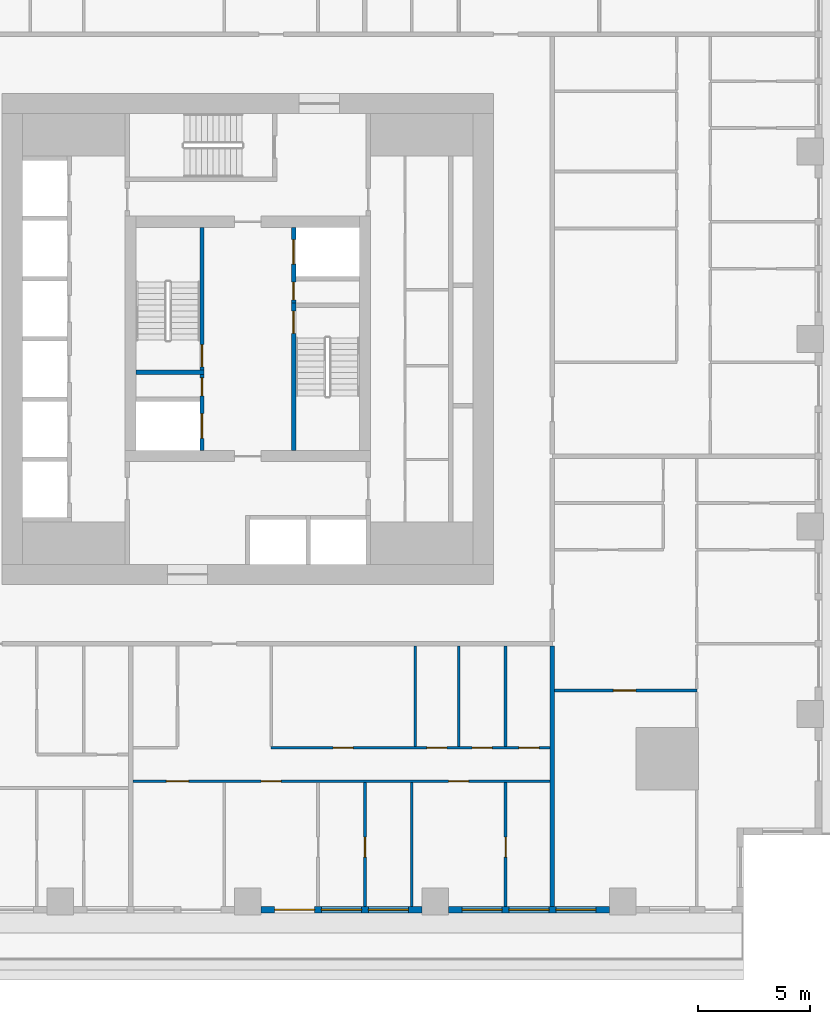
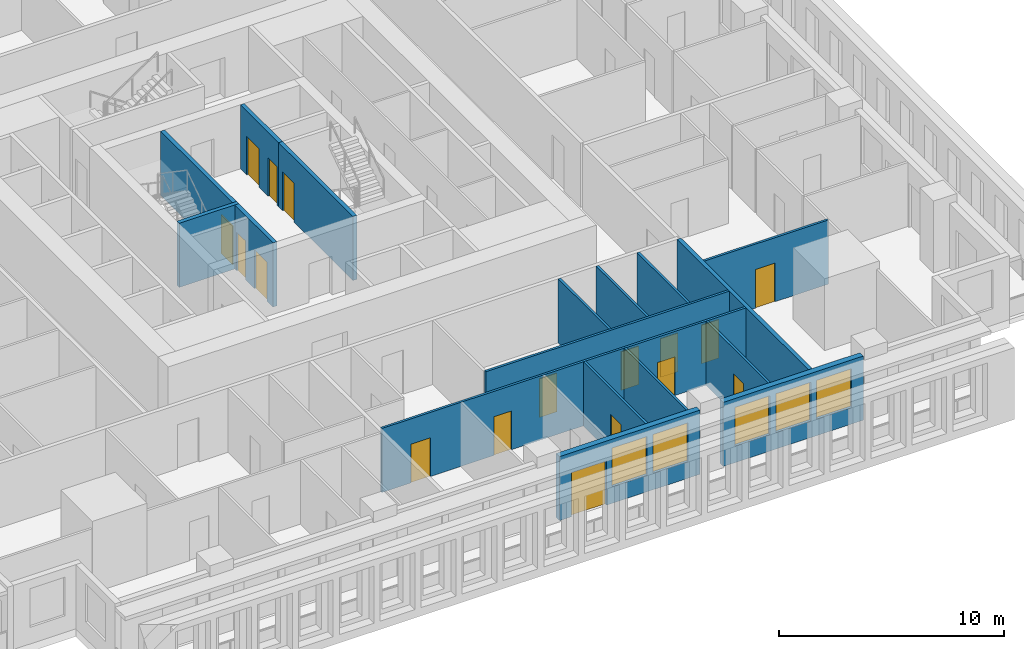
# One storey, part 4 of 15: 17 doors, 17 walls, 5 windows, 22 openings.
"""IFC4 building model written with IfcOpenShell, lengths in metres."""

from ifc_helpers import new_model, si_unit, direction, frame, frame_2d, origin, place, context, subcontext, project, spatial, rectangle, extrude, material, layer, layer_set, type_object, element, fill, save


model = new_model("IFC4")

# Units and contexts
model_context = context("Model", 3, precision=1e-05, world=origin(), true_north=direction((0.0, 1.0)))
body_context = subcontext(model_context, "Body", "Model", "MODEL_VIEW")
ifc_project = project(units=[si_unit("LENGTHUNIT", "METRE"), si_unit("AREAUNIT", "SQUARE_METRE"), si_unit("VOLUMEUNIT", "CUBIC_METRE"), si_unit("PLANEANGLEUNIT", "RADIAN"), si_unit("MASSUNIT", "GRAM", prefix="KILO")], contexts=[model_context])

# Site, building, storey
site_placement = place(None, origin())
site = spatial("IfcSite", under=ifc_project, at=site_placement, CompositionType="ELEMENT")
building_placement = place(site_placement, origin())
building = spatial("IfcBuilding", under=site, at=building_placement, Name="Khepri Terraces", CompositionType="ELEMENT")
storey_placement = place(building_placement, frame((0.0, 0.0, 98.699951171875)))
storey = spatial("IfcBuildingStorey", under=building, at=storey_placement, Name="L23", CompositionType="ELEMENT", Elevation=98.699951171875)

# Wall, opening, door
ifc_material_1 = material(Name="Concrete C70/85", Category="concrete")
ifc_layer_1 = layer(ifc_material_1, 0.199951171875, Name="Concrete C70/85", Category="concrete")
ifc_layer_set_1 = layer_set([ifc_layer_1], Name="Concrete C70/85")
wall_type_1 = type_object("IfcWallType", Name="Core wall 200 C70/85", PredefinedType="SHEAR", material=ifc_layer_set_1)
wall_1_placement = place(storey_placement, frame((2.050048828125, -5.0, 0.0), z_axis=(0.0, 0.0, 1.0), x_axis=(0.0, 1.0, 0.0)))
wall_1 = element("IfcWall", 1, at=wall_1_placement, inside=storey, type_object=wall_type_1, Name="Core wall ST01 L23", PredefinedType="SHEAR", context=body_context, shape_type="SweptSolid", body=[
    extrude(rectangle(XDim=6.60009765625, YDim=0.199951171875, at=frame_2d((3.300048828125, 0.0))), origin(), (0.0, 0.0, 1.0), 3.47998046875),
])
opening_1_placement = place(wall_1_placement, frame((5.25, 0.0, 0.0)))
opening_1 = element("IfcOpeningElement", 2, at=opening_1_placement, cuts=wall_1, Name="Opening L23-C10", PredefinedType="OPENING", context=body_context, shape_type="SweptSolid", body=[
    extrude(rectangle(XDim=1.0, YDim=2.10009765625, at=frame_2d((0.5, 1.050048828125))), frame((0.0, 0.10986328125, 0.0), z_axis=(0.0, -1.0, 0.0), x_axis=(1.0, 0.0, 0.0)), (0.0, 0.0, 1.0), 0.219970703125),
])
ifc_material_2 = material(Name="Painted steel", Category="steel")
door_type_1 = type_object("IfcDoorType", Name="DR-CORE-STAIR-1000", OperationType="NOTDEFINED", PredefinedType="DOOR", material=ifc_material_2)
door_1_placement = place(opening_1_placement, frame((1.0, 0.0, 0.0), z_axis=(0.0, 0.0, 1.0), x_axis=(-1.0, 0.0, 0.0)))
door_1 = element("IfcDoor", 3, at=door_1_placement, inside=storey, type_object=door_type_1, Name="Stair door L23-C10", OperationType="SINGLE_SWING_LEFT", OverallHeight=2.10009765625, OverallWidth=1.0, PredefinedType="DOOR", context=body_context, shape_type="SweptSolid", body=[
    extrude(rectangle(XDim=1.0, YDim=2.10009765625, at=frame_2d((0.5, 1.050048828125))), frame((0.0, 0.02490234375, 0.0), z_axis=(0.0, -1.0, 0.0), x_axis=(1.0, 0.0, 0.0)), (0.0, 0.0, 1.0), 0.050048828125),
])
fill(opening_1, door_1)

# Wall
wall_2_placement = place(storey_placement, frame((-5.0, -1.5, 0.0), z_axis=(0.0, 0.0, 1.0), x_axis=(1.0, 0.0, 0.0)))
element("IfcWall", 4, at=wall_2_placement, inside=storey, type_object=wall_type_1, Name="Core wall ST02 L23", PredefinedType="SHEAR", context=body_context, shape_type="SweptSolid", body=[
    extrude(rectangle(XDim=3.050048828125, YDim=0.199951171875, at=frame_2d((1.52490234375, 0.0))), origin(), (0.0, 0.0, 1.0), 3.47998046875),
])

# Wall, opening, door
wall_3_placement = place(storey_placement, frame((-2.050048828125, -1.39990234375, 0.0), z_axis=(0.0, 0.0, 1.0), x_axis=(0.0, 1.0, 0.0)))
wall_3 = element("IfcWall", 5, at=wall_3_placement, inside=storey, type_object=wall_type_1, Name="Core wall ST03 L23", PredefinedType="SHEAR", context=body_context, shape_type="SweptSolid", body=[
    extrude(rectangle(XDim=6.39990234375, YDim=0.199951171875, at=frame_2d((3.199951171875, 0.0))), origin(), (0.0, 0.0, 1.0), 3.47998046875),
])
opening_2_placement = place(wall_3_placement, frame((0.14990234375, 0.0, 0.0)))
opening_2 = element("IfcOpeningElement", 6, at=opening_2_placement, cuts=wall_3, Name="Opening L23-C09", PredefinedType="OPENING", context=body_context, shape_type="SweptSolid", body=[
    extrude(rectangle(XDim=1.0, YDim=2.10009765625, at=frame_2d((0.5, 1.050048828125))), frame((0.0, 0.10986328125, 0.0), z_axis=(0.0, -1.0, 0.0), x_axis=(1.0, 0.0, 0.0)), (0.0, 0.0, 1.0), 0.219970703125),
])
door_2_placement = place(opening_2_placement, origin())
door_2 = element("IfcDoor", 7, at=door_2_placement, inside=storey, type_object=door_type_1, Name="Stair door L23-C09", OperationType="SINGLE_SWING_LEFT", OverallHeight=2.10009765625, OverallWidth=1.0, PredefinedType="DOOR", context=body_context, shape_type="SweptSolid", body=[
    extrude(rectangle(XDim=1.0, YDim=2.10009765625, at=frame_2d((0.5, 1.050048828125))), frame((0.0, 0.02490234375, 0.0), z_axis=(0.0, -1.0, 0.0), x_axis=(1.0, 0.0, 0.0)), (0.0, 0.0, 1.0), 0.050048828125),
])
fill(opening_2, door_2)

# Wall, openings, doors
wall_4_placement = place(storey_placement, frame((-2.050048828125, -5.0, 0.0), z_axis=(0.0, 0.0, 1.0), x_axis=(0.0, 1.0, 0.0)))
wall_4 = element("IfcWall", 8, at=wall_4_placement, inside=storey, type_object=wall_type_1, Name="Core wall SH10 L23", PredefinedType="SHEAR", context=body_context, shape_type="SweptSolid", body=[
    extrude(rectangle(XDim=3.39990234375, YDim=0.199951171875, at=frame_2d((1.699951171875, 0.0))), origin(), (0.0, 0.0, 1.0), 3.47998046875),
])
opening_3_placement = place(wall_4_placement, frame((0.550048828125, 0.0, 0.0)))
opening_3 = element("IfcOpeningElement", 9, at=opening_3_placement, cuts=wall_4, Name="Opening L23-C08", PredefinedType="OPENING", context=body_context, shape_type="SweptSolid", body=[
    extrude(rectangle(XDim=1.10009765625, YDim=2.10009765625, at=frame_2d((0.550048828125, 1.050048828125))), frame((0.0, 0.10986328125, 0.0), z_axis=(0.0, -1.0, 0.0), x_axis=(1.0, 0.0, 0.0)), (0.0, 0.0, 1.0), 0.219970703125),
])
opening_4_placement = place(wall_4_placement, frame((2.449951171875, 0.0, 0.0)))
opening_4 = element("IfcOpeningElement", 10, at=opening_4_placement, cuts=wall_4, Name="Opening L23-C12", PredefinedType="OPENING", context=body_context, shape_type="SweptSolid", body=[
    extrude(rectangle(XDim=0.800048828125, YDim=2.10009765625, at=frame_2d((0.39990234375, 1.050048828125))), frame((0.0, 0.10986328125, 0.0), z_axis=(0.0, -1.0, 0.0), x_axis=(1.0, 0.0, 0.0)), (0.0, 0.0, 1.0), 0.219970703125),
])
ifc_material_3 = material(Name="Stainless steel 304", Category="steel")
door_type_2 = type_object("IfcDoorType", Name="DR-CORE-FF-LANDING-1100", OperationType="NOTDEFINED", PredefinedType="DOOR", material=ifc_material_3)
door_3_placement = place(opening_3_placement, origin())
door_3 = element("IfcDoor", 11, at=door_3_placement, inside=storey, type_object=door_type_2, Name="Firefighting lift landing door L23-C08", OperationType="SLIDING_TO_LEFT", OverallHeight=2.10009765625, OverallWidth=1.10009765625, PredefinedType="DOOR", context=body_context, shape_type="SweptSolid", body=[
    extrude(rectangle(XDim=1.10009765625, YDim=2.10009765625, at=frame_2d((0.550048828125, 1.050048828125))), frame((0.0, 0.02490234375, 0.0), z_axis=(0.0, -1.0, 0.0), x_axis=(1.0, 0.0, 0.0)), (0.0, 0.0, 1.0), 0.050048828125),
])
fill(opening_3, door_3)
door_type_3 = type_object("IfcDoorType", Name="DR-CORE-RISER-800", OperationType="NOTDEFINED", PredefinedType="DOOR", material=ifc_material_2)
door_4_placement = place(opening_4_placement, origin())
door_4 = element("IfcDoor", 12, at=door_4_placement, inside=storey, type_object=door_type_3, Name="Riser door L23-C12", OperationType="SINGLE_SWING_RIGHT", OverallHeight=2.10009765625, OverallWidth=0.800048828125, PredefinedType="DOOR", context=body_context, shape_type="SweptSolid", body=[
    extrude(rectangle(XDim=0.800048828125, YDim=2.10009765625, at=frame_2d((0.39990234375, 1.050048828125))), frame((0.0, 0.02490234375, 0.0), z_axis=(0.0, -1.0, 0.0), x_axis=(1.0, 0.0, 0.0)), (0.0, 0.0, 1.0), 0.050048828125),
])
fill(opening_4, door_4)

wall_5_placement = place(storey_placement, frame((2.050048828125, 1.60009765625, 0.0), z_axis=(0.0, 0.0, 1.0), x_axis=(0.0, 1.0, 0.0)))
wall_5 = element("IfcWall", 13, at=wall_5_placement, inside=storey, type_object=wall_type_1, Name="Core wall SH15 L23", PredefinedType="SHEAR", context=body_context, shape_type="SweptSolid", body=[
    extrude(rectangle(XDim=3.39990234375, YDim=0.199951171875, at=frame_2d((1.699951171875, 0.0))), origin(), (0.0, 0.0, 1.0), 3.47998046875),
])
opening_5_placement = place(wall_5_placement, frame((1.75, 0.0, 0.0)))
opening_5 = element("IfcOpeningElement", 14, at=opening_5_placement, cuts=wall_5, Name="Opening L23-C07", PredefinedType="OPENING", context=body_context, shape_type="SweptSolid", body=[
    extrude(rectangle(XDim=1.10009765625, YDim=2.10009765625, at=frame_2d((0.550048828125, 1.050048828125))), frame((0.0, 0.10986328125, 0.0), z_axis=(0.0, -1.0, 0.0), x_axis=(1.0, 0.0, 0.0)), (0.0, 0.0, 1.0), 0.219970703125),
])
opening_6_placement = place(wall_5_placement, frame((0.14990234375, 0.0, 0.0)))
opening_6 = element("IfcOpeningElement", 15, at=opening_6_placement, cuts=wall_5, Name="Opening L23-C11", PredefinedType="OPENING", context=body_context, shape_type="SweptSolid", body=[
    extrude(rectangle(XDim=0.800048828125, YDim=2.10009765625, at=frame_2d((0.39990234375, 1.050048828125))), frame((0.0, 0.10986328125, 0.0), z_axis=(0.0, -1.0, 0.0), x_axis=(1.0, 0.0, 0.0)), (0.0, 0.0, 1.0), 0.219970703125),
])
door_5_placement = place(opening_5_placement, origin())
door_5 = element("IfcDoor", 16, at=door_5_placement, inside=storey, type_object=door_type_2, Name="Firefighting lift landing door L23-C07", OperationType="SLIDING_TO_LEFT", OverallHeight=2.10009765625, OverallWidth=1.10009765625, PredefinedType="DOOR", context=body_context, shape_type="SweptSolid", body=[
    extrude(rectangle(XDim=1.10009765625, YDim=2.10009765625, at=frame_2d((0.550048828125, 1.050048828125))), frame((0.0, 0.02490234375, 0.0), z_axis=(0.0, -1.0, 0.0), x_axis=(1.0, 0.0, 0.0)), (0.0, 0.0, 1.0), 0.050048828125),
])
fill(opening_5, door_5)
door_6_placement = place(opening_6_placement, frame((0.800048828125, 0.0, 0.0), z_axis=(0.0, 0.0, 1.0), x_axis=(-1.0, 0.0, 0.0)))
door_6 = element("IfcDoor", 17, at=door_6_placement, inside=storey, type_object=door_type_3, Name="Riser door L23-C11", OperationType="SINGLE_SWING_RIGHT", OverallHeight=2.10009765625, OverallWidth=0.800048828125, PredefinedType="DOOR", context=body_context, shape_type="SweptSolid", body=[
    extrude(rectangle(XDim=0.800048828125, YDim=2.10009765625, at=frame_2d((0.39990234375, 1.050048828125))), frame((0.0, 0.02490234375, 0.0), z_axis=(0.0, -1.0, 0.0), x_axis=(1.0, 0.0, 0.0)), (0.0, 0.0, 1.0), 0.050048828125),
])
fill(opening_6, door_6)

# Wall
ifc_material_4 = material(Name="Fire-rated gypsum plasterboard partition, mineral wool")
ifc_layer_2 = layer(ifc_material_4, 0.199951171875, Name="Fire-rated gypsum plasterboard partition, mineral wool")
ifc_layer_set_2 = layer_set([ifc_layer_2], Name="Fire-rated gypsum plasterboard partition, mineral wool")
wall_type_2 = type_object("IfcWallType", Name="WL-CORR-200", PredefinedType="PARTITIONING", material=ifc_layer_set_2)
wall_6_placement = place(storey_placement, frame((13.64990234375, -25.419921875, 0.0), z_axis=(0.0, 0.0, 1.0), x_axis=(0.0, 1.0, 0.0)))
element("IfcWall", 18, at=wall_6_placement, inside=storey, type_object=wall_type_2, Name="Partition P-010 L23", PredefinedType="PARTITIONING", context=body_context, shape_type="SweptSolid", body=[
    extrude(rectangle(XDim=11.669921875, YDim=0.199951171875, at=frame_2d((5.8349609375, 0.0))), origin(), (0.0, 0.0, 1.0), 3.47998046875),
])

# Wall, openings, door, windows
ifc_material_5 = material(Name="Precast concrete C50/60 warm stone", Category="masonry")
ifc_layer_3 = layer(ifc_material_5, 0.300048828125, Name="Precast concrete C50/60 warm stone", Category="masonry")
ifc_layer_set_3 = layer_set([ifc_layer_3], Name="Precast concrete C50/60 warm stone")
wall_type_3 = type_object("IfcWallType", Name="WL-EXT-PRECAST-300", PredefinedType="STANDARD", material=ifc_layer_set_3)
wall_7_placement = place(storey_placement, frame((0.60009765625, -25.570068359375, 0.0), z_axis=(0.0, 0.0, 1.0), x_axis=(1.0, 0.0, 0.0)))
wall_7 = element("IfcWall", 19, at=wall_7_placement, inside=storey, type_object=wall_type_3, Name="External wall L23 S", PredefinedType="STANDARD", context=body_context, shape_type="SweptSolid", body=[
    extrude(rectangle(XDim=7.199951171875, YDim=0.300048828125, at=frame_2d((3.60009765625, 0.0))), origin(), (0.0, 0.0, 1.0), 3.47998046875),
])
opening_7_placement = place(wall_7_placement, frame((0.60009765625, 0.0, 0.0)))
opening_7 = element("IfcOpeningElement", 20, at=opening_7_placement, cuts=wall_7, Name="Opening ED-L23-21", PredefinedType="OPENING", context=body_context, shape_type="SweptSolid", body=[
    extrude(rectangle(XDim=1.800048828125, YDim=2.39990234375, at=frame_2d((0.89990234375, 1.199951171875))), frame((0.0, 0.16015625, 0.0), z_axis=(0.0, -1.0, 0.0), x_axis=(1.0, 0.0, 0.0)), (0.0, 0.0, 1.0), 0.320068359375),
])
opening_8_placement = place(wall_7_placement, frame((2.699951171875, 0.0, 0.89990234375)))
opening_8 = element("IfcOpeningElement", 21, at=opening_8_placement, cuts=wall_7, Name="Opening W1", PredefinedType="OPENING", context=body_context, shape_type="SweptSolid", body=[
    extrude(rectangle(XDim=1.800048828125, YDim=2.10009765625, at=frame_2d((0.89990234375, 1.050048828125))), frame((0.0, 0.16015625, 0.0), z_axis=(0.0, -1.0, 0.0), x_axis=(1.0, 0.0, 0.0)), (0.0, 0.0, 1.0), 0.320068359375),
])
opening_9_placement = place(wall_7_placement, frame((4.800048828125, 0.0, 0.89990234375)))
opening_9 = element("IfcOpeningElement", 22, at=opening_9_placement, cuts=wall_7, Name="Opening W1", PredefinedType="OPENING", context=body_context, shape_type="SweptSolid", body=[
    extrude(rectangle(XDim=1.800048828125, YDim=2.10009765625, at=frame_2d((0.89990234375, 1.050048828125))), frame((0.0, 0.16015625, 0.0), z_axis=(0.0, -1.0, 0.0), x_axis=(1.0, 0.0, 0.0)), (0.0, 0.0, 1.0), 0.320068359375),
])
ifc_material_6 = material(Name="Anodised aluminium bronze glazed door", Category="aluminium")
door_type_4 = type_object("IfcDoorType", Name="DR-BAL-SLIDE-1800x2400", OperationType="NOTDEFINED", PredefinedType="DOOR", material=ifc_material_6)
door_7_placement = place(opening_7_placement, origin())
door_7 = element("IfcDoor", 23, at=door_7_placement, inside=storey, type_object=door_type_4, Name="Balcony door L23 S", OperationType="SLIDING_TO_LEFT", OverallHeight=2.39990234375, OverallWidth=1.800048828125, PredefinedType="DOOR", context=body_context, shape_type="SweptSolid", body=[
    extrude(rectangle(XDim=1.800048828125, YDim=2.39990234375, at=frame_2d((0.89990234375, 1.199951171875))), frame((0.0, 0.02490234375, 0.0), z_axis=(0.0, -1.0, 0.0), x_axis=(1.0, 0.0, 0.0)), (0.0, 0.0, 1.0), 0.050048828125),
])
fill(opening_7, door_7)
ifc_material_7 = material(Name="Clear glass", Category="glass")
window_type = type_object("IfcWindowType", Name="WIN-RES-1800x2100", PartitioningType="SINGLE_PANEL", PredefinedType="WINDOW", material=ifc_material_7)
window_1_placement = place(opening_8_placement, origin())
window_1 = element("IfcWindow", 24, at=window_1_placement, inside=storey, type_object=window_type, Name="Window L23 S", OverallHeight=2.10009765625, OverallWidth=1.800048828125, PartitioningType="SINGLE_PANEL", PredefinedType="WINDOW", context=body_context, shape_type="SweptSolid", body=[
    extrude(rectangle(XDim=1.800048828125, YDim=2.10009765625, at=frame_2d((0.89990234375, 1.050048828125))), frame((0.0, 0.030029296875, 0.0), z_axis=(0.0, -1.0, 0.0), x_axis=(1.0, 0.0, 0.0)), (0.0, 0.0, 1.0), 0.06005859375),
])
fill(opening_8, window_1)
window_2_placement = place(opening_9_placement, origin())
window_2 = element("IfcWindow", 25, at=window_2_placement, inside=storey, type_object=window_type, Name="Window L23 S", OverallHeight=2.10009765625, OverallWidth=1.800048828125, PartitioningType="SINGLE_PANEL", PredefinedType="WINDOW", context=body_context, shape_type="SweptSolid", body=[
    extrude(rectangle(XDim=1.800048828125, YDim=2.10009765625, at=frame_2d((0.89990234375, 1.050048828125))), frame((0.0, 0.030029296875, 0.0), z_axis=(0.0, -1.0, 0.0), x_axis=(1.0, 0.0, 0.0)), (0.0, 0.0, 1.0), 0.06005859375),
])
fill(opening_9, window_2)

# Wall, openings, windows
wall_8_placement = place(storey_placement, frame((9.0, -25.570068359375, 0.0), z_axis=(0.0, 0.0, 1.0), x_axis=(1.0, 0.0, 0.0)))
wall_8 = element("IfcWall", 26, at=wall_8_placement, inside=storey, type_object=wall_type_3, Name="External wall L23 S", PredefinedType="STANDARD", context=body_context, shape_type="SweptSolid", body=[
    extrude(rectangle(XDim=7.199951171875, YDim=0.300048828125, at=frame_2d((3.60009765625, 0.0))), origin(), (0.0, 0.0, 1.0), 3.47998046875),
])
opening_10_placement = place(wall_8_placement, frame((0.60009765625, 0.0, 0.89990234375)))
opening_10 = element("IfcOpeningElement", 27, at=opening_10_placement, cuts=wall_8, Name="Opening W1", PredefinedType="OPENING", context=body_context, shape_type="SweptSolid", body=[
    extrude(rectangle(XDim=1.800048828125, YDim=2.10009765625, at=frame_2d((0.89990234375, 1.050048828125))), frame((0.0, 0.16015625, 0.0), z_axis=(0.0, -1.0, 0.0), x_axis=(1.0, 0.0, 0.0)), (0.0, 0.0, 1.0), 0.320068359375),
])
opening_11_placement = place(wall_8_placement, frame((2.699951171875, 0.0, 0.89990234375)))
opening_11 = element("IfcOpeningElement", 28, at=opening_11_placement, cuts=wall_8, Name="Opening W1", PredefinedType="OPENING", context=body_context, shape_type="SweptSolid", body=[
    extrude(rectangle(XDim=1.800048828125, YDim=2.10009765625, at=frame_2d((0.89990234375, 1.050048828125))), frame((0.0, 0.16015625, 0.0), z_axis=(0.0, -1.0, 0.0), x_axis=(1.0, 0.0, 0.0)), (0.0, 0.0, 1.0), 0.320068359375),
])
opening_12_placement = place(wall_8_placement, frame((4.800048828125, 0.0, 0.89990234375)))
opening_12 = element("IfcOpeningElement", 29, at=opening_12_placement, cuts=wall_8, Name="Opening W1", PredefinedType="OPENING", context=body_context, shape_type="SweptSolid", body=[
    extrude(rectangle(XDim=1.800048828125, YDim=2.10009765625, at=frame_2d((0.89990234375, 1.050048828125))), frame((0.0, 0.16015625, 0.0), z_axis=(0.0, -1.0, 0.0), x_axis=(1.0, 0.0, 0.0)), (0.0, 0.0, 1.0), 0.320068359375),
])
window_3_placement = place(opening_10_placement, origin())
window_3 = element("IfcWindow", 30, at=window_3_placement, inside=storey, type_object=window_type, Name="Window L23 S", OverallHeight=2.10009765625, OverallWidth=1.800048828125, PartitioningType="SINGLE_PANEL", PredefinedType="WINDOW", context=body_context, shape_type="SweptSolid", body=[
    extrude(rectangle(XDim=1.800048828125, YDim=2.10009765625, at=frame_2d((0.89990234375, 1.050048828125))), frame((0.0, 0.030029296875, 0.0), z_axis=(0.0, -1.0, 0.0), x_axis=(1.0, 0.0, 0.0)), (0.0, 0.0, 1.0), 0.06005859375),
])
fill(opening_10, window_3)
window_4_placement = place(opening_11_placement, origin())
window_4 = element("IfcWindow", 31, at=window_4_placement, inside=storey, type_object=window_type, Name="Window L23 S", OverallHeight=2.10009765625, OverallWidth=1.800048828125, PartitioningType="SINGLE_PANEL", PredefinedType="WINDOW", context=body_context, shape_type="SweptSolid", body=[
    extrude(rectangle(XDim=1.800048828125, YDim=2.10009765625, at=frame_2d((0.89990234375, 1.050048828125))), frame((0.0, 0.030029296875, 0.0), z_axis=(0.0, -1.0, 0.0), x_axis=(1.0, 0.0, 0.0)), (0.0, 0.0, 1.0), 0.06005859375),
])
fill(opening_11, window_4)
window_5_placement = place(opening_12_placement, origin())
window_5 = element("IfcWindow", 32, at=window_5_placement, inside=storey, type_object=window_type, Name="Window L23 S", OverallHeight=2.10009765625, OverallWidth=1.800048828125, PartitioningType="SINGLE_PANEL", PredefinedType="WINDOW", context=body_context, shape_type="SweptSolid", body=[
    extrude(rectangle(XDim=1.800048828125, YDim=2.10009765625, at=frame_2d((0.89990234375, 1.050048828125))), frame((0.0, 0.030029296875, 0.0), z_axis=(0.0, -1.0, 0.0), x_axis=(1.0, 0.0, 0.0)), (0.0, 0.0, 1.0), 0.06005859375),
])
fill(opening_12, window_5)

# Wall, opening, door
ifc_material_8 = material(Name="Gypsum plasterboard partition")
ifc_layer_4 = layer(ifc_material_8, 0.1201171875, Name="Gypsum plasterboard partition")
ifc_layer_set_4 = layer_set([ifc_layer_4], Name="Gypsum plasterboard partition")
wall_type_4 = type_object("IfcWallType", Name="WL-PART-120", PredefinedType="PARTITIONING", material=ifc_layer_set_4)
wall_9_placement = place(storey_placement, frame((5.25, -25.419921875, 0.0), z_axis=(0.0, 0.0, 1.0), x_axis=(0.0, 1.0, 0.0)))
wall_9 = element("IfcWall", 33, at=wall_9_placement, inside=storey, type_object=wall_type_4, Name="Partition P-007 L23", PredefinedType="PARTITIONING", context=body_context, shape_type="SweptSolid", body=[
    extrude(rectangle(XDim=5.5400390625, YDim=0.1201171875, at=frame_2d((2.77001953125, 0.0))), origin(), (0.0, 0.0, 1.0), 3.47998046875),
])
opening_13_placement = place(wall_9_placement, frame((2.199951171875, 0.0, 0.0)))
opening_13 = element("IfcOpeningElement", 34, at=opening_13_placement, cuts=wall_9, Name="Opening D4", PredefinedType="OPENING", context=body_context, shape_type="SweptSolid", body=[
    extrude(rectangle(XDim=0.89990234375, YDim=2.10009765625, at=frame_2d((0.449951171875, 1.050048828125))), frame((0.0, 0.070068359375, 0.0), z_axis=(0.0, -1.0, 0.0), x_axis=(1.0, 0.0, 0.0)), (0.0, 0.0, 1.0), 0.14013671875),
])
ifc_material_9 = material(Name="Timber door leaf, moisture resistant", Category="wood")
door_type_5 = type_object("IfcDoorType", Name="DR-WET-900", OperationType="NOTDEFINED", PredefinedType="DOOR", material=ifc_material_9)
door_8_placement = place(opening_13_placement, frame((0.89990234375, 0.0, 0.0), z_axis=(0.0, 0.0, 1.0), x_axis=(-1.0, 0.0, 0.0)))
door_8 = element("IfcDoor", 35, at=door_8_placement, inside=storey, type_object=door_type_5, Name="Door Bathroom", OperationType="SINGLE_SWING_RIGHT", OverallHeight=2.10009765625, OverallWidth=0.89990234375, PredefinedType="DOOR", context=body_context, shape_type="SweptSolid", body=[
    extrude(rectangle(XDim=0.89990234375, YDim=2.10009765625, at=frame_2d((0.449951171875, 1.050048828125))), frame((0.0, 0.02490234375, 0.0), z_axis=(0.0, -1.0, 0.0), x_axis=(1.0, 0.0, 0.0)), (0.0, 0.0, 1.0), 0.050048828125),
])
fill(opening_13, door_8)

# Wall
wall_10_placement = place(storey_placement, frame((7.35009765625, -25.419921875, 0.0), z_axis=(0.0, 0.0, 1.0), x_axis=(0.0, 1.0, 0.0)))
element("IfcWall", 36, at=wall_10_placement, inside=storey, type_object=wall_type_4, Name="Partition P-008 L23", PredefinedType="PARTITIONING", context=body_context, shape_type="SweptSolid", body=[
    extrude(rectangle(XDim=5.5400390625, YDim=0.1201171875, at=frame_2d((2.77001953125, 0.0))), origin(), (0.0, 0.0, 1.0), 3.47998046875),
])

# Wall, opening, door
wall_11_placement = place(storey_placement, frame((11.550048828125, -25.419921875, 0.0), z_axis=(0.0, 0.0, 1.0), x_axis=(0.0, 1.0, 0.0)))
wall_11 = element("IfcWall", 37, at=wall_11_placement, inside=storey, type_object=wall_type_4, Name="Partition P-009 L23", PredefinedType="PARTITIONING", context=body_context, shape_type="SweptSolid", body=[
    extrude(rectangle(XDim=5.5400390625, YDim=0.1201171875, at=frame_2d((2.77001953125, 0.0))), origin(), (0.0, 0.0, 1.0), 3.47998046875),
])
opening_14_placement = place(wall_11_placement, frame((2.199951171875, 0.0, 0.0)))
opening_14 = element("IfcOpeningElement", 38, at=opening_14_placement, cuts=wall_11, Name="Opening D4", PredefinedType="OPENING", context=body_context, shape_type="SweptSolid", body=[
    extrude(rectangle(XDim=0.89990234375, YDim=2.10009765625, at=frame_2d((0.449951171875, 1.050048828125))), frame((0.0, 0.070068359375, 0.0), z_axis=(0.0, -1.0, 0.0), x_axis=(1.0, 0.0, 0.0)), (0.0, 0.0, 1.0), 0.14013671875),
])
door_9_placement = place(opening_14_placement, frame((0.89990234375, 0.0, 0.0), z_axis=(0.0, 0.0, 1.0), x_axis=(-1.0, 0.0, 0.0)))
door_9 = element("IfcDoor", 39, at=door_9_placement, inside=storey, type_object=door_type_5, Name="Door Bathroom", OperationType="SINGLE_SWING_RIGHT", OverallHeight=2.10009765625, OverallWidth=0.89990234375, PredefinedType="DOOR", context=body_context, shape_type="SweptSolid", body=[
    extrude(rectangle(XDim=0.89990234375, YDim=2.10009765625, at=frame_2d((0.449951171875, 1.050048828125))), frame((0.0, 0.02490234375, 0.0), z_axis=(0.0, -1.0, 0.0), x_axis=(1.0, 0.0, 0.0)), (0.0, 0.0, 1.0), 0.050048828125),
])
fill(opening_14, door_9)

# Wall, openings, doors
wall_12_placement = place(storey_placement, frame((-5.14990234375, -19.820068359375, 0.0), z_axis=(0.0, 0.0, 1.0), x_axis=(1.0, 0.0, 0.0)))
wall_12 = element("IfcWall", 40, at=wall_12_placement, inside=storey, type_object=wall_type_4, Name="Partition P-015 L23", PredefinedType="PARTITIONING", context=body_context, shape_type="SweptSolid", body=[
    extrude(rectangle(XDim=18.699951171875, YDim=0.1201171875, at=frame_2d((9.35009765625, 0.0))), origin(), (0.0, 0.0, 1.0), 3.47998046875),
])
opening_15_placement = place(wall_12_placement, frame((1.5, 0.0, 0.0)))
opening_15 = element("IfcOpeningElement", 41, at=opening_15_placement, cuts=wall_12, Name="Opening D2", PredefinedType="OPENING", context=body_context, shape_type="SweptSolid", body=[
    extrude(rectangle(XDim=1.0, YDim=2.10009765625, at=frame_2d((0.5, 1.050048828125))), frame((0.0, 0.070068359375, 0.0), z_axis=(0.0, -1.0, 0.0), x_axis=(1.0, 0.0, 0.0)), (0.0, 0.0, 1.0), 0.14013671875),
])
opening_16_placement = place(wall_12_placement, frame((5.75, 0.0, 0.0)))
opening_16 = element("IfcOpeningElement", 42, at=opening_16_placement, cuts=wall_12, Name="Opening D3", PredefinedType="OPENING", context=body_context, shape_type="SweptSolid", body=[
    extrude(rectangle(XDim=0.89990234375, YDim=2.10009765625, at=frame_2d((0.449951171875, 1.050048828125))), frame((0.0, 0.070068359375, 0.0), z_axis=(0.0, -1.0, 0.0), x_axis=(1.0, 0.0, 0.0)), (0.0, 0.0, 1.0), 0.14013671875),
])
opening_17_placement = place(wall_12_placement, frame((14.14990234375, 0.0, 0.0)))
opening_17 = element("IfcOpeningElement", 43, at=opening_17_placement, cuts=wall_12, Name="Opening D3", PredefinedType="OPENING", context=body_context, shape_type="SweptSolid", body=[
    extrude(rectangle(XDim=0.89990234375, YDim=2.10009765625, at=frame_2d((0.449951171875, 1.050048828125))), frame((0.0, 0.070068359375, 0.0), z_axis=(0.0, -1.0, 0.0), x_axis=(1.0, 0.0, 0.0)), (0.0, 0.0, 1.0), 0.14013671875),
])
ifc_material_10 = material(Name="Timber door leaf, living room door", Category="wood")
door_type_6 = type_object("IfcDoorType", Name="DR-INT-1000", OperationType="NOTDEFINED", PredefinedType="DOOR", material=ifc_material_10)
door_10_placement = place(opening_15_placement, frame((1.0, 0.0, 0.0), z_axis=(0.0, 0.0, 1.0), x_axis=(-1.0, 0.0, 0.0)))
door_10 = element("IfcDoor", 44, at=door_10_placement, inside=storey, type_object=door_type_6, Name="Door Living Room", OperationType="SINGLE_SWING_RIGHT", OverallHeight=2.10009765625, OverallWidth=1.0, PredefinedType="DOOR", context=body_context, shape_type="SweptSolid", body=[
    extrude(rectangle(XDim=1.0, YDim=2.10009765625, at=frame_2d((0.5, 1.050048828125))), frame((0.0, 0.02490234375, 0.0), z_axis=(0.0, -1.0, 0.0), x_axis=(1.0, 0.0, 0.0)), (0.0, 0.0, 1.0), 0.050048828125),
])
fill(opening_15, door_10)
ifc_material_11 = material(Name="Timber door leaf", Category="wood")
door_type_7 = type_object("IfcDoorType", Name="DR-INT-900", OperationType="NOTDEFINED", PredefinedType="DOOR", material=ifc_material_11)
door_11_placement = place(opening_16_placement, frame((0.89990234375, 0.0, 0.0), z_axis=(0.0, 0.0, 1.0), x_axis=(-1.0, 0.0, 0.0)))
door_11 = element("IfcDoor", 45, at=door_11_placement, inside=storey, type_object=door_type_7, Name="Door Master Bedroom", OperationType="SINGLE_SWING_RIGHT", OverallHeight=2.10009765625, OverallWidth=0.89990234375, PredefinedType="DOOR", context=body_context, shape_type="SweptSolid", body=[
    extrude(rectangle(XDim=0.89990234375, YDim=2.10009765625, at=frame_2d((0.449951171875, 1.050048828125))), frame((0.0, 0.02490234375, 0.0), z_axis=(0.0, -1.0, 0.0), x_axis=(1.0, 0.0, 0.0)), (0.0, 0.0, 1.0), 0.050048828125),
])
fill(opening_16, door_11)
door_12_placement = place(opening_17_placement, frame((0.89990234375, 0.0, 0.0), z_axis=(0.0, 0.0, 1.0), x_axis=(-1.0, 0.0, 0.0)))
door_12 = element("IfcDoor", 46, at=door_12_placement, inside=storey, type_object=door_type_7, Name="Door Bedroom", OperationType="SINGLE_SWING_LEFT", OverallHeight=2.10009765625, OverallWidth=0.89990234375, PredefinedType="DOOR", context=body_context, shape_type="SweptSolid", body=[
    extrude(rectangle(XDim=0.89990234375, YDim=2.10009765625, at=frame_2d((0.449951171875, 1.050048828125))), frame((0.0, 0.02490234375, 0.0), z_axis=(0.0, -1.0, 0.0), x_axis=(1.0, 0.0, 0.0)), (0.0, 0.0, 1.0), 0.050048828125),
])
fill(opening_17, door_12)

wall_13_placement = place(storey_placement, frame((1.050048828125, -18.320068359375, 0.0), z_axis=(0.0, 0.0, 1.0), x_axis=(1.0, 0.0, 0.0)))
wall_13 = element("IfcWall", 47, at=wall_13_placement, inside=storey, type_object=wall_type_4, Name="Partition P-020 L23", PredefinedType="PARTITIONING", context=body_context, shape_type="SweptSolid", body=[
    extrude(rectangle(XDim=12.5, YDim=0.1201171875, at=frame_2d((6.25, 0.0))), origin(), (0.0, 0.0, 1.0), 3.47998046875),
])
opening_18_placement = place(wall_13_placement, frame((2.77490234375, 0.0, 0.0)))
opening_18 = element("IfcOpeningElement", 48, at=opening_18_placement, cuts=wall_13, Name="Opening D3", PredefinedType="OPENING", context=body_context, shape_type="SweptSolid", body=[
    extrude(rectangle(XDim=0.89990234375, YDim=2.10009765625, at=frame_2d((0.449951171875, 1.050048828125))), frame((0.0, 0.070068359375, 0.0), z_axis=(0.0, -1.0, 0.0), x_axis=(1.0, 0.0, 0.0)), (0.0, 0.0, 1.0), 0.14013671875),
])
opening_19_placement = place(wall_13_placement, frame((6.97509765625, 0.0, 0.0)))
opening_19 = element("IfcOpeningElement", 49, at=opening_19_placement, cuts=wall_13, Name="Opening D3", PredefinedType="OPENING", context=body_context, shape_type="SweptSolid", body=[
    extrude(rectangle(XDim=0.89990234375, YDim=2.10009765625, at=frame_2d((0.449951171875, 1.050048828125))), frame((0.0, 0.070068359375, 0.0), z_axis=(0.0, -1.0, 0.0), x_axis=(1.0, 0.0, 0.0)), (0.0, 0.0, 1.0), 0.14013671875),
])
opening_20_placement = place(wall_13_placement, frame((9.0, 0.0, 0.0)))
opening_20 = element("IfcOpeningElement", 50, at=opening_20_placement, cuts=wall_13, Name="Opening D4", PredefinedType="OPENING", context=body_context, shape_type="SweptSolid", body=[
    extrude(rectangle(XDim=0.89990234375, YDim=2.10009765625, at=frame_2d((0.449951171875, 1.050048828125))), frame((0.0, 0.070068359375, 0.0), z_axis=(0.0, -1.0, 0.0), x_axis=(1.0, 0.0, 0.0)), (0.0, 0.0, 1.0), 0.14013671875),
])
opening_21_placement = place(wall_13_placement, frame((11.10009765625, 0.0, 0.0)))
opening_21 = element("IfcOpeningElement", 51, at=opening_21_placement, cuts=wall_13, Name="Opening D4", PredefinedType="OPENING", context=body_context, shape_type="SweptSolid", body=[
    extrude(rectangle(XDim=0.89990234375, YDim=2.10009765625, at=frame_2d((0.449951171875, 1.050048828125))), frame((0.0, 0.070068359375, 0.0), z_axis=(0.0, -1.0, 0.0), x_axis=(1.0, 0.0, 0.0)), (0.0, 0.0, 1.0), 0.14013671875),
])
door_13_placement = place(opening_18_placement, origin())
door_13 = element("IfcDoor", 52, at=door_13_placement, inside=storey, type_object=door_type_7, Name="Door Kitchen", OperationType="SINGLE_SWING_LEFT", OverallHeight=2.10009765625, OverallWidth=0.89990234375, PredefinedType="DOOR", context=body_context, shape_type="SweptSolid", body=[
    extrude(rectangle(XDim=0.89990234375, YDim=2.10009765625, at=frame_2d((0.449951171875, 1.050048828125))), frame((0.0, 0.02490234375, 0.0), z_axis=(0.0, -1.0, 0.0), x_axis=(1.0, 0.0, 0.0)), (0.0, 0.0, 1.0), 0.050048828125),
])
fill(opening_18, door_13)
door_14_placement = place(opening_19_placement, origin())
door_14 = element("IfcDoor", 53, at=door_14_placement, inside=storey, type_object=door_type_7, Name="Door Service Store", OperationType="SINGLE_SWING_RIGHT", OverallHeight=2.10009765625, OverallWidth=0.89990234375, PredefinedType="DOOR", context=body_context, shape_type="SweptSolid", body=[
    extrude(rectangle(XDim=0.89990234375, YDim=2.10009765625, at=frame_2d((0.449951171875, 1.050048828125))), frame((0.0, 0.02490234375, 0.0), z_axis=(0.0, -1.0, 0.0), x_axis=(1.0, 0.0, 0.0)), (0.0, 0.0, 1.0), 0.050048828125),
])
fill(opening_19, door_14)
door_15_placement = place(opening_20_placement, origin())
door_15 = element("IfcDoor", 54, at=door_15_placement, inside=storey, type_object=door_type_5, Name="Door Powder Room", OperationType="SINGLE_SWING_RIGHT", OverallHeight=2.10009765625, OverallWidth=0.89990234375, PredefinedType="DOOR", context=body_context, shape_type="SweptSolid", body=[
    extrude(rectangle(XDim=0.89990234375, YDim=2.10009765625, at=frame_2d((0.449951171875, 1.050048828125))), frame((0.0, 0.02490234375, 0.0), z_axis=(0.0, -1.0, 0.0), x_axis=(1.0, 0.0, 0.0)), (0.0, 0.0, 1.0), 0.050048828125),
])
fill(opening_20, door_15)
door_16_placement = place(opening_21_placement, origin())
door_16 = element("IfcDoor", 55, at=door_16_placement, inside=storey, type_object=door_type_5, Name="Door Guest Bathroom", OperationType="SINGLE_SWING_RIGHT", OverallHeight=2.10009765625, OverallWidth=0.89990234375, PredefinedType="DOOR", context=body_context, shape_type="SweptSolid", body=[
    extrude(rectangle(XDim=0.89990234375, YDim=2.10009765625, at=frame_2d((0.449951171875, 1.050048828125))), frame((0.0, 0.02490234375, 0.0), z_axis=(0.0, -1.0, 0.0), x_axis=(1.0, 0.0, 0.0)), (0.0, 0.0, 1.0), 0.050048828125),
])
fill(opening_21, door_16)

# Walls
for number, where, z_axis, x_axis, name in (
    (56, (7.5, -18.260009765625, 0.0), (0.0, 0.0, 1.0), (0.0, 1.0, 0.0), "Partition P-023 L23"),
    (57, (9.449951171875, -18.260009765625, 0.0), (0.0, 0.0, 1.0), (0.0, 1.0, 0.0), "Partition P-024 L23"),
    (58, (11.550048828125, -18.260009765625, 0.0), (0.0, 0.0, 1.0), (0.0, 1.0, 0.0), "Partition P-025 L23"),
):
    element("IfcWall", number, at=place(storey_placement, frame(where, z_axis=z_axis, x_axis=x_axis)), inside=storey, type_object=wall_type_4, Name=name, PredefinedType="PARTITIONING", context=body_context, shape_type="SweptSolid", body=[
        extrude(rectangle(XDim=4.510009765625, YDim=0.1201171875, at=frame_2d((2.2548828125, 0.0))), origin(), (0.0, 0.0, 1.0), 3.47998046875),
    ])

# Wall, opening, door
wall_14_placement = place(storey_placement, frame((13.75, -15.75, 0.0), z_axis=(0.0, 0.0, 1.0), x_axis=(1.0, 0.0, 0.0)))
wall_14 = element("IfcWall", 59, at=wall_14_placement, inside=storey, type_object=wall_type_4, Name="Partition P-027 L23", PredefinedType="PARTITIONING", context=body_context, shape_type="SweptSolid", body=[
    extrude(rectangle(XDim=6.3701171875, YDim=0.1201171875, at=frame_2d((3.18505859375, 0.0))), origin(), (0.0, 0.0, 1.0), 3.47998046875),
])
opening_22_placement = place(wall_14_placement, frame((2.635009765625, 0.0, 0.0)))
opening_22 = element("IfcOpeningElement", 60, at=opening_22_placement, cuts=wall_14, Name="Opening D2", PredefinedType="OPENING", context=body_context, shape_type="SweptSolid", body=[
    extrude(rectangle(XDim=1.0, YDim=2.10009765625, at=frame_2d((0.5, 1.050048828125))), frame((0.0, 0.070068359375, 0.0), z_axis=(0.0, -1.0, 0.0), x_axis=(1.0, 0.0, 0.0)), (0.0, 0.0, 1.0), 0.14013671875),
])
door_17_placement = place(opening_22_placement, frame((1.0, 0.0, 0.0), z_axis=(0.0, 0.0, 1.0), x_axis=(-1.0, 0.0, 0.0)))
door_17 = element("IfcDoor", 61, at=door_17_placement, inside=storey, type_object=door_type_6, Name="Door Family Room", OperationType="SINGLE_SWING_RIGHT", OverallHeight=2.10009765625, OverallWidth=1.0, PredefinedType="DOOR", context=body_context, shape_type="SweptSolid", body=[
    extrude(rectangle(XDim=1.0, YDim=2.10009765625, at=frame_2d((0.5, 1.050048828125))), frame((0.0, 0.02490234375, 0.0), z_axis=(0.0, -1.0, 0.0), x_axis=(1.0, 0.0, 0.0)), (0.0, 0.0, 1.0), 0.050048828125),
])
fill(opening_22, door_17)

save(model, "model.ifc")
